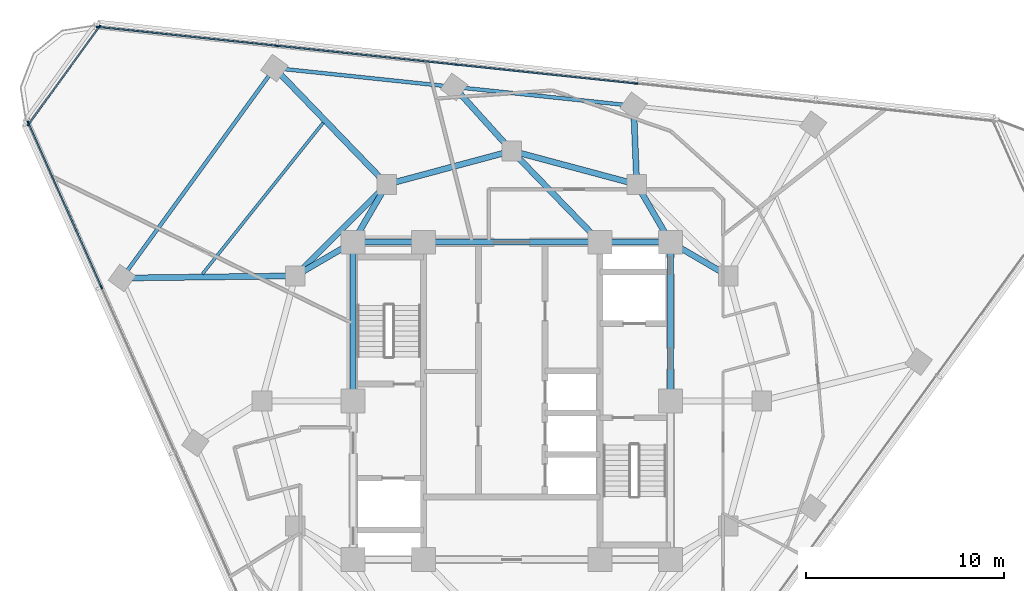
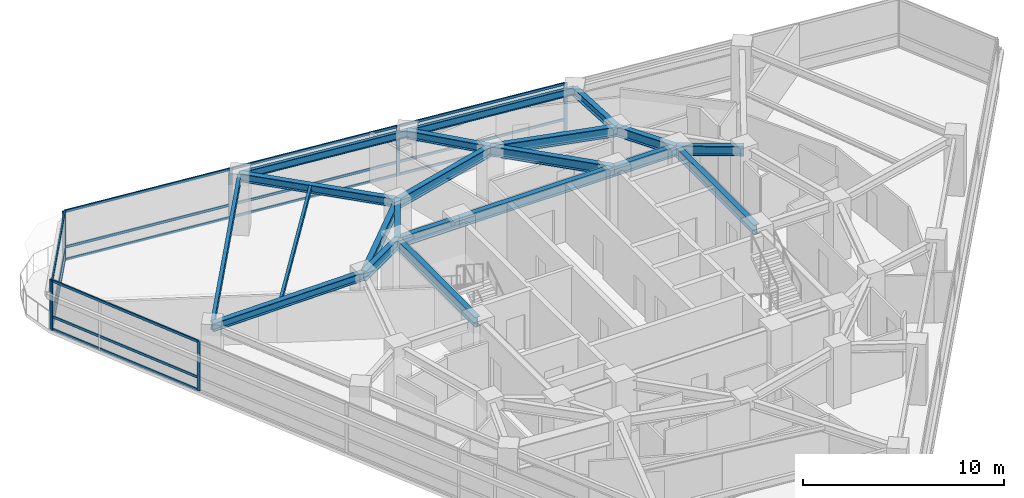
# One storey, part 5 of 14: 23 members, 21 beams, 3 elements without a shape of their own.
"""IFC4 building model written with IfcOpenShell, lengths in metres."""

from ifc_helpers import new_model, si_unit, direction, frame, origin, origin_2d, place, context, subcontext, project, spatial, rectangle, i_section, extrude, material, layer, layer_set, material_profile, profile_set, type_object, element, aggregate, save


model = new_model("IFC4")

# Units and contexts
model_context = context("Model", 3, precision=1e-05, world=origin(), true_north=direction((0.0, 1.0)))
body_context = subcontext(model_context, "Body", "Model", "MODEL_VIEW")
ifc_project = project(units=[si_unit("LENGTHUNIT", "METRE"), si_unit("AREAUNIT", "SQUARE_METRE"), si_unit("VOLUMEUNIT", "CUBIC_METRE"), si_unit("PLANEANGLEUNIT", "RADIAN"), si_unit("MASSUNIT", "GRAM", prefix="KILO")], contexts=[model_context])

# Site, building, storey
site_placement = place(None, origin())
site = spatial("IfcSite", under=ifc_project, at=site_placement, CompositionType="ELEMENT")
building_placement = place(site_placement, origin())
building = spatial("IfcBuilding", under=site, at=building_placement, Name="Terralouvre Media Tower", CompositionType="ELEMENT")
storey_placement = place(building_placement, frame((0.0, 0.0, 222.60009765625)))
storey = spatial("IfcBuildingStorey", under=building, at=storey_placement, Name="L57", CompositionType="ELEMENT", Elevation=222.60009765625)

# Beam
ifc_material_1 = material(Name="Structural steel S355J2", Category="steel")
ifc_material_profile_1 = material_profile(ifc_material_1, i_section(OverallWidth=0.14990234375, OverallDepth=0.300048828125, WebThickness=0.007080078125, FlangeThickness=0.0107421875, at=origin_2d()), Name="IPE 300")
ifc_profile_set_1 = profile_set([ifc_material_profile_1], Name="Structural steel S355J2")
beam_type_1 = type_object("IfcBeamType", Name="Composite Floor Joist J-IPE300 (IPE 300)", PredefinedType="JOIST", material=ifc_profile_set_1)
beam_1_placement = place(storey_placement, frame((-9.507568359375, 14.0205078125, 3.349853515625), z_axis=(-0.623938489158, -0.781473455561, 0.0), x_axis=(0.781473455561, -0.623938489158, 0.0)))
element("IfcBeam", 1, at=beam_1_placement, inside=storey, type_object=beam_type_1, Name="L57 Framing Beam JT-L57-05", PredefinedType="JOIST", context=body_context, shape_type="SweptSolid", body=[
    extrude(i_section(OverallWidth=0.14990234375, OverallDepth=0.300048828125, WebThickness=0.007080078125, FlangeThickness=0.0107421875, at=origin_2d()), origin(), (0.0, 0.0, 1.0), 9.763427734375),
])

# Curtain wall, members
ifc_material_2 = material(Name="Low-iron laminated double glazing with solar-control coating", Category="glass")
ifc_layer_1 = layer(ifc_material_2, 0.1650390625, Name="Upper Executive Tower Curtain Wall CW-05")
ifc_layer_set_1 = layer_set([ifc_layer_1], Name="Low-iron laminated double glazing with solar-control coating")
curtain_wall_type_1 = type_object("IfcCurtainWallType", Name="Upper Executive Tower Curtain Wall CW-05", PredefinedType="NOTDEFINED", material=ifc_layer_set_1)
curtain_wall_1_placement = place(storey_placement, origin())
curtain_wall_1 = element("IfcCurtainWall", 2, at=curtain_wall_1_placement, inside=storey, type_object=curtain_wall_type_1, Name="L57 Facade Curtain Wall F1", PredefinedType="NOTDEFINED")
ifc_material_3 = material(Name="Anodised extruded aluminium 6063-T6", Category="aluminium")
ifc_material_profile_2 = material_profile(ifc_material_3, rectangle(XDim=0.074951171875, YDim=0.14990234375, at=origin_2d()), Name="ALU 75x150")
ifc_profile_set_2 = profile_set([ifc_material_profile_2], Name="Anodised extruded aluminium 6063-T6")
member_type_1 = type_object("IfcMemberType", Name="Curtain-Wall Horizontal Transom TR-150", PredefinedType="USERDEFINED", material=ifc_profile_set_2)
member_1_placement = place(storey_placement, frame((6.21923828125, 16.002197265625, 0.037353515625), z_axis=(-0.994522041896, 0.104527069141, 0.0), x_axis=(-0.104527069141, -0.994522041896, 0.0)))
member_1 = element("IfcMember", 3, at=member_1_placement, type_object=member_type_1, Name="CW-05 transom 3.1", ObjectType="TRANSOM", PredefinedType="USERDEFINED", context=body_context, shape_type="SweptSolid", body=[
    extrude(rectangle(XDim=0.074951171875, YDim=0.14990234375, at=origin_2d()), origin(), (0.0, 0.0, 1.0), 9.025146484375),
])
member_2_placement = place(storey_placement, frame((6.21923828125, 16.002197265625, 0.7998046875), z_axis=(-0.994522041896, 0.104527069141, 0.0), x_axis=(-0.104527069141, -0.994522041896, 0.0)))
member_2 = element("IfcMember", 4, at=member_2_placement, type_object=member_type_1, Name="CW-05 transom 3.2", ObjectType="TRANSOM", PredefinedType="USERDEFINED", context=body_context, shape_type="SweptSolid", body=[
    extrude(rectangle(XDim=0.074951171875, YDim=0.14990234375, at=origin_2d()), origin(), (0.0, 0.0, 1.0), 9.025146484375),
])
member_3_placement = place(storey_placement, frame((6.21923828125, 16.002197265625, 2.96240234375), z_axis=(-0.994522041896, 0.104527069141, 0.0), x_axis=(-0.104527069141, -0.994522041896, 0.0)))
member_3 = element("IfcMember", 5, at=member_3_placement, type_object=member_type_1, Name="CW-05 transom 3.3", ObjectType="TRANSOM", PredefinedType="USERDEFINED", context=body_context, shape_type="SweptSolid", body=[
    extrude(rectangle(XDim=0.074951171875, YDim=0.14990234375, at=origin_2d()), origin(), (0.0, 0.0, 1.0), 9.025146484375),
])
member_4_placement = place(storey_placement, frame((-2.830810546875, 16.95361328125, 0.037353515625), z_axis=(-0.994522041896, 0.104527069141, 0.0), x_axis=(-0.104527069141, -0.994522041896, 0.0)))
member_4 = element("IfcMember", 6, at=member_4_placement, type_object=member_type_1, Name="CW-05 transom 4.1", ObjectType="TRANSOM", PredefinedType="USERDEFINED", context=body_context, shape_type="SweptSolid", body=[
    extrude(rectangle(XDim=0.074951171875, YDim=0.14990234375, at=origin_2d()), origin(), (0.0, 0.0, 1.0), 9.025146484375),
])
member_5_placement = place(storey_placement, frame((-2.830810546875, 16.95361328125, 0.7998046875), z_axis=(-0.994522041896, 0.104527069141, 0.0), x_axis=(-0.104527069141, -0.994522041896, 0.0)))
member_5 = element("IfcMember", 7, at=member_5_placement, type_object=member_type_1, Name="CW-05 transom 4.2", ObjectType="TRANSOM", PredefinedType="USERDEFINED", context=body_context, shape_type="SweptSolid", body=[
    extrude(rectangle(XDim=0.074951171875, YDim=0.14990234375, at=origin_2d()), origin(), (0.0, 0.0, 1.0), 9.025146484375),
])
member_6_placement = place(storey_placement, frame((-2.830810546875, 16.95361328125, 2.96240234375), z_axis=(-0.994522041896, 0.104527069141, 0.0), x_axis=(-0.104527069141, -0.994522041896, 0.0)))
member_6 = element("IfcMember", 8, at=member_6_placement, type_object=member_type_1, Name="CW-05 transom 4.3", ObjectType="TRANSOM", PredefinedType="USERDEFINED", context=body_context, shape_type="SweptSolid", body=[
    extrude(rectangle(XDim=0.074951171875, YDim=0.14990234375, at=origin_2d()), origin(), (0.0, 0.0, 1.0), 9.025146484375),
])
member_7_placement = place(storey_placement, frame((-11.881103515625, 17.90478515625, 0.037353515625), z_axis=(-0.994521813919, 0.104529238206, 0.0), x_axis=(-0.104529238206, -0.994521813919, 0.0)))
member_7 = element("IfcMember", 9, at=member_7_placement, type_object=member_type_1, Name="CW-05 transom 5.1", ObjectType="TRANSOM", PredefinedType="USERDEFINED", context=body_context, shape_type="SweptSolid", body=[
    extrude(rectangle(XDim=0.074951171875, YDim=0.14990234375, at=origin_2d()), origin(), (0.0, 0.0, 1.0), 8.987548828125),
])
member_8_placement = place(storey_placement, frame((-11.881103515625, 17.90478515625, 0.7998046875), z_axis=(-0.994521813919, 0.104529238206, 0.0), x_axis=(-0.104529238206, -0.994521813919, 0.0)))
member_8 = element("IfcMember", 10, at=member_8_placement, type_object=member_type_1, Name="CW-05 transom 5.2", ObjectType="TRANSOM", PredefinedType="USERDEFINED", context=body_context, shape_type="SweptSolid", body=[
    extrude(rectangle(XDim=0.074951171875, YDim=0.14990234375, at=origin_2d()), origin(), (0.0, 0.0, 1.0), 8.987548828125),
])
member_9_placement = place(storey_placement, frame((-11.881103515625, 17.90478515625, 2.96240234375), z_axis=(-0.994521813919, 0.104529238206, 0.0), x_axis=(-0.104529238206, -0.994521813919, 0.0)))
member_9 = element("IfcMember", 11, at=member_9_placement, type_object=member_type_1, Name="CW-05 transom 5.3", ObjectType="TRANSOM", PredefinedType="USERDEFINED", context=body_context, shape_type="SweptSolid", body=[
    extrude(rectangle(XDim=0.074951171875, YDim=0.14990234375, at=origin_2d()), origin(), (0.0, 0.0, 1.0), 8.987548828125),
])

curtain_wall_2_placement = place(storey_placement, origin())
curtain_wall_2 = element("IfcCurtainWall", 12, at=curtain_wall_2_placement, inside=storey, type_object=curtain_wall_type_1, Name="L57 Facade Curtain Wall F2", PredefinedType="NOTDEFINED")
member_10_placement = place(storey_placement, frame((-24.35546875, 13.97705078125, 0.037353515625), z_axis=(0.406758390963, -0.913535774549, 0.0), x_axis=(0.913535774549, 0.406758390963, 0.0)))
member_10 = element("IfcMember", 13, at=member_10_placement, type_object=member_type_1, Name="CW-05 transom 1.1", ObjectType="TRANSOM", PredefinedType="USERDEFINED", context=body_context, shape_type="SweptSolid", body=[
    extrude(rectangle(XDim=0.074951171875, YDim=0.14990234375, at=origin_2d()), origin(), (0.0, 0.0, 1.0), 8.987548828125),
])
member_11_placement = place(storey_placement, frame((-24.35546875, 13.97705078125, 0.7998046875), z_axis=(0.406758390963, -0.913535774549, 0.0), x_axis=(0.913535774549, 0.406758390963, 0.0)))
member_11 = element("IfcMember", 14, at=member_11_placement, type_object=member_type_1, Name="CW-05 transom 1.2", ObjectType="TRANSOM", PredefinedType="USERDEFINED", context=body_context, shape_type="SweptSolid", body=[
    extrude(rectangle(XDim=0.074951171875, YDim=0.14990234375, at=origin_2d()), origin(), (0.0, 0.0, 1.0), 8.987548828125),
])
member_12_placement = place(storey_placement, frame((-24.35546875, 13.97705078125, 2.96240234375), z_axis=(0.406758390963, -0.913535774549, 0.0), x_axis=(0.913535774549, 0.406758390963, 0.0)))
member_12 = element("IfcMember", 15, at=member_12_placement, type_object=member_type_1, Name="CW-05 transom 1.3", ObjectType="TRANSOM", PredefinedType="USERDEFINED", context=body_context, shape_type="SweptSolid", body=[
    extrude(rectangle(XDim=0.074951171875, YDim=0.14990234375, at=origin_2d()), origin(), (0.0, 0.0, 1.0), 8.987548828125),
])

ifc_material_4 = material(Name="Low-iron laminated double glazing with solar-control coating", Category="glass")
ifc_layer_2 = layer(ifc_material_4, 0.1650390625, Name="Rounded Wind-Corner Curved Glazing CW-04")
ifc_layer_set_2 = layer_set([ifc_layer_2], Name="Low-iron laminated double glazing with solar-control coating")
curtain_wall_type_2 = type_object("IfcCurtainWallType", Name="Rounded Wind-Corner Curved Glazing CW-04", PredefinedType="NOTDEFINED", material=ifc_layer_set_2)
curtain_wall_3_placement = place(storey_placement, origin())
curtain_wall_3 = element("IfcCurtainWall", 16, at=curtain_wall_3_placement, inside=storey, type_object=curtain_wall_type_2, Name="L57 Rounded Wind-Corner Curtain Wall C2", PredefinedType="NOTDEFINED")
member_13_placement = place(storey_placement, frame((-20.812255859375, 18.828369140625, 0.037353515625), z_axis=(-0.58777959511, -0.809021104528, 0.0), x_axis=(0.809021104528, -0.58777959511, 0.0)))
member_13 = element("IfcMember", 17, at=member_13_placement, type_object=member_type_1, Name="CW-04 transom 1.1", ObjectType="TRANSOM", PredefinedType="USERDEFINED", context=body_context, shape_type="SweptSolid", body=[
    extrude(rectangle(XDim=0.074951171875, YDim=0.14990234375, at=origin_2d()), origin(), (0.0, 0.0, 1.0), 5.99853515625),
])
member_14_placement = place(storey_placement, frame((-20.812255859375, 18.828369140625, 0.7998046875), z_axis=(-0.58777959511, -0.809021104528, 0.0), x_axis=(0.809021104528, -0.58777959511, 0.0)))
member_14 = element("IfcMember", 18, at=member_14_placement, type_object=member_type_1, Name="CW-04 transom 1.2", ObjectType="TRANSOM", PredefinedType="USERDEFINED", context=body_context, shape_type="SweptSolid", body=[
    extrude(rectangle(XDim=0.074951171875, YDim=0.14990234375, at=origin_2d()), origin(), (0.0, 0.0, 1.0), 5.99853515625),
])
member_15_placement = place(storey_placement, frame((-20.812255859375, 18.828369140625, 2.96240234375), z_axis=(-0.58777959511, -0.809021104528, 0.0), x_axis=(0.809021104528, -0.58777959511, 0.0)))
member_15 = element("IfcMember", 19, at=member_15_placement, type_object=member_type_1, Name="CW-04 transom 1.3", ObjectType="TRANSOM", PredefinedType="USERDEFINED", context=body_context, shape_type="SweptSolid", body=[
    extrude(rectangle(XDim=0.074951171875, YDim=0.14990234375, at=origin_2d()), origin(), (0.0, 0.0, 1.0), 5.99853515625),
])

# Member
ifc_material_5 = material(Name="Anodised extruded aluminium 6063-T6", Category="aluminium")
ifc_material_profile_3 = material_profile(ifc_material_5, rectangle(XDim=0.074951171875, YDim=0.179931640625, at=origin_2d()), Name="ALU 75x180")
ifc_profile_set_3 = profile_set([ifc_material_profile_3], Name="Anodised extruded aluminium 6063-T6")
member_type_2 = type_object("IfcMemberType", Name="Curtain-Wall Vertical Mullion ML-180", PredefinedType="MULLION", material=ifc_profile_set_3)
member_16_placement = place(storey_placement, frame((6.256591796875, 15.998291015625, 0.0), z_axis=(0.0, 0.0, 1.0), x_axis=(-0.104528561651, -0.994521885028, 0.0)))
member_16 = element("IfcMember", 20, at=member_16_placement, type_object=member_type_2, Name="CW-05 mullion 3", PredefinedType="MULLION", context=body_context, shape_type="SweptSolid", body=[
    extrude(rectangle(XDim=0.074951171875, YDim=0.179931640625, at=origin_2d()), origin(), (0.0, 0.0, 1.0), 3.0),
])

member_17_placement = place(storey_placement, frame((-2.793701171875, 16.949462890625, 0.0), z_axis=(0.0, 0.0, 1.0), x_axis=(-0.104528561651, -0.994521885028, 0.0)))
member_17 = element("IfcMember", 21, at=member_17_placement, type_object=member_type_2, Name="CW-05 mullion 4", PredefinedType="MULLION", context=body_context, shape_type="SweptSolid", body=[
    extrude(rectangle(XDim=0.074951171875, YDim=0.179931640625, at=origin_2d()), origin(), (0.0, 0.0, 1.0), 3.0),
])

member_18_placement = place(storey_placement, frame((-11.84375, 17.90087890625, 0.0), z_axis=(0.0, 0.0, 1.0), x_axis=(-0.104528561651, -0.994521885028, 0.0)))
member_18 = element("IfcMember", 22, at=member_18_placement, type_object=member_type_2, Name="CW-05 mullion 5", PredefinedType="MULLION", context=body_context, shape_type="SweptSolid", body=[
    extrude(rectangle(XDim=0.074951171875, YDim=0.179931640625, at=origin_2d()), origin(), (0.0, 0.0, 1.0), 3.0),
])

member_19_placement = place(storey_placement, frame((-20.856689453125, 18.84814453125, 0.0), z_axis=(0.0, 0.0, 1.0), x_axis=(-0.104528561651, -0.994521885028, 0.0)))
member_19 = element("IfcMember", 23, at=member_19_placement, type_object=member_type_2, Name="CW-05 mullion 6", PredefinedType="MULLION", context=body_context, shape_type="SweptSolid", body=[
    extrude(rectangle(XDim=0.074951171875, YDim=0.179931640625, at=origin_2d()), origin(), (0.0, 0.0, 1.0), 3.0),
])

aggregate(curtain_wall_1, [member_16, member_17, member_18, member_19, member_1, member_2, member_3, member_4, member_5, member_6, member_7, member_8, member_9])

member_20_placement = place(storey_placement, frame((-24.37060546875, 14.011474609375, 0.0), z_axis=(0.0, 0.0, 1.0), x_axis=(0.913545441365, 0.406736679636, 0.0)))
member_20 = element("IfcMember", 24, at=member_20_placement, type_object=member_type_2, Name="CW-05 mullion 1", PredefinedType="MULLION", context=body_context, shape_type="SweptSolid", body=[
    extrude(rectangle(XDim=0.074951171875, YDim=0.179931640625, at=origin_2d()), origin(), (0.0, 0.0, 1.0), 3.0),
])

member_21_placement = place(storey_placement, frame((-20.6845703125, 5.732421875, 0.0), z_axis=(0.0, 0.0, 1.0), x_axis=(0.913545441365, 0.406736679636, 0.0)))
member_21 = element("IfcMember", 25, at=member_21_placement, type_object=member_type_2, Name="CW-05 mullion 2", PredefinedType="MULLION", context=body_context, shape_type="SweptSolid", body=[
    extrude(rectangle(XDim=0.074951171875, YDim=0.179931640625, at=origin_2d()), origin(), (0.0, 0.0, 1.0), 3.0),
])

aggregate(curtain_wall_2, [member_20, member_21, member_10, member_11, member_12])

member_22_placement = place(storey_placement, frame((-20.7900390625, 18.858642578125, 0.0), z_axis=(0.0, 0.0, 1.0), x_axis=(0.809016531067, -0.58778588998, 0.0)))
member_22 = element("IfcMember", 26, at=member_22_placement, type_object=member_type_2, Name="CW-04 mullion 1", PredefinedType="MULLION", context=body_context, shape_type="SweptSolid", body=[
    extrude(rectangle(XDim=0.074951171875, YDim=0.179931640625, at=origin_2d()), origin(), (0.0, 0.0, 1.0), 3.0),
])

member_23_placement = place(storey_placement, frame((-24.360107421875, 13.94482421875, 0.0), z_axis=(0.0, 0.0, 1.0), x_axis=(0.809016531067, -0.58778588998, 0.0)))
member_23 = element("IfcMember", 27, at=member_23_placement, type_object=member_type_2, Name="CW-04 mullion 2", PredefinedType="MULLION", context=body_context, shape_type="SweptSolid", body=[
    extrude(rectangle(XDim=0.074951171875, YDim=0.179931640625, at=origin_2d()), origin(), (0.0, 0.0, 1.0), 3.0),
])

aggregate(curtain_wall_3, [member_22, member_23, member_13, member_14, member_15])

# Beams
ifc_material_6 = material(Name="Structural steel S355J2", Category="steel")
ifc_material_profile_4 = material_profile(ifc_material_6, i_section(OverallWidth=0.18994140625, OverallDepth=0.449951171875, WebThickness=0.009521484375, FlangeThickness=0.0146484375, at=origin_2d()), Name="IPE 450")
ifc_profile_set_4 = profile_set([ifc_material_profile_4], Name="Structural steel S355J2")
beam_type_2 = type_object("IfcBeamType", Name="Perimeter Spandrel Beam SPB-450 (IPE 450)", PredefinedType="SPANDREL", material=ifc_profile_set_4)
beam_2_placement = place(storey_placement, frame((6.138427734375, 14.87451171875, 3.27490234375), z_axis=(-0.994522199081, 0.104525573596, 0.0), x_axis=(-0.104525573596, -0.994522199081, 0.0)))
element("IfcBeam", 28, at=beam_2_placement, inside=storey, type_object=beam_type_2, Name="L57 Framing Beam BM-L57-PR09", PredefinedType="SPANDREL", context=body_context, shape_type="SweptSolid", body=[
    extrude(i_section(OverallWidth=0.18994140625, OverallDepth=0.449951171875, WebThickness=0.009521484375, FlangeThickness=0.0146484375, at=origin_2d()), origin(), (0.0, 0.0, 1.0), 9.099853515625),
])
beam_3_placement = place(storey_placement, frame((-2.91162109375, 15.82568359375, 3.27490234375), z_axis=(-0.994522492191, 0.10452278472, 0.0), x_axis=(-0.10452278472, -0.994522492191, 0.0)))
element("IfcBeam", 29, at=beam_3_placement, inside=storey, type_object=beam_type_2, Name="L57 Framing Beam BM-L57-PR10", PredefinedType="SPANDREL", context=body_context, shape_type="SweptSolid", body=[
    extrude(i_section(OverallWidth=0.18994140625, OverallDepth=0.449951171875, WebThickness=0.009521484375, FlangeThickness=0.0146484375, at=origin_2d()), origin(), (0.0, 0.0, 1.0), 9.10009765625),
])
beam_4_placement = place(storey_placement, frame((-11.9619140625, 16.77685546875, 3.27490234375), z_axis=(-0.587794396272, -0.809010350806, 0.0), x_axis=(0.809010350806, -0.587794396272, 0.0)))
element("IfcBeam", 30, at=beam_4_placement, inside=storey, type_object=beam_type_2, Name="L57 Framing Beam BM-L57-PR11", PredefinedType="SPANDREL", context=body_context, shape_type="SweptSolid", body=[
    extrude(i_section(OverallWidth=0.18994140625, OverallDepth=0.449951171875, WebThickness=0.009521484375, FlangeThickness=0.0146484375, at=origin_2d()), origin(), (0.0, 0.0, 1.0), 13.08349609375),
])
ifc_material_7 = material(Name="Structural steel S355J2", Category="steel")
ifc_material_profile_5 = material_profile(ifc_material_7, i_section(OverallWidth=0.300048828125, OverallDepth=0.5, WebThickness=0.014404296875, FlangeThickness=0.028076171875, at=origin_2d()), Name="HEB 500")
ifc_profile_set_5 = profile_set([ifc_material_profile_5], Name="Structural steel S355J2")
beam_type_3 = type_object("IfcBeamType", Name="Primary Floor Girder B-HEB500 (HEB 500)", PredefinedType="BEAM", material=ifc_profile_set_5)
beam_5_placement = place(storey_placement, frame((6.300048828125, 10.911865234375, 3.25), z_axis=(-0.040752268141, 0.999169281274, 0.0), x_axis=(-0.999169281274, -0.040752268141, 0.0)))
element("IfcBeam", 31, at=beam_5_placement, inside=storey, type_object=beam_type_3, Name="L57 Framing Beam BM-L57-RD09", PredefinedType="BEAM", context=body_context, shape_type="SweptSolid", body=[
    extrude(i_section(OverallWidth=0.300048828125, OverallDepth=0.5, WebThickness=0.014404296875, FlangeThickness=0.028076171875, at=origin_2d()), origin(), (0.0, 0.0, 1.0), 3.9658203125),
])
beam_6_placement = place(storey_placement, frame((0.0, 12.60009765625, 3.25), z_axis=(-0.670056658177, 0.742309958732, 0.0), x_axis=(-0.742309958732, -0.670056658177, 0.0)))
element("IfcBeam", 32, at=beam_6_placement, inside=storey, type_object=beam_type_3, Name="L57 Framing Beam BM-L57-RD10", PredefinedType="BEAM", context=body_context, shape_type="SweptSolid", body=[
    extrude(i_section(OverallWidth=0.300048828125, OverallDepth=0.5, WebThickness=0.014404296875, FlangeThickness=0.028076171875, at=origin_2d()), origin(), (0.0, 0.0, 1.0), 4.34521484375),
])
beam_7_placement = place(storey_placement, frame((-6.300048828125, 10.911865234375, 3.25), z_axis=(-0.694538392484, 0.719455642389, 0.0), x_axis=(-0.719455642389, -0.694538392484, 0.0)))
element("IfcBeam", 33, at=beam_7_placement, inside=storey, type_object=beam_type_3, Name="L57 Framing Beam BM-L57-RD11", PredefinedType="BEAM", context=body_context, shape_type="SweptSolid", body=[
    extrude(i_section(OverallWidth=0.300048828125, OverallDepth=0.5, WebThickness=0.014404296875, FlangeThickness=0.028076171875, at=origin_2d()), origin(), (0.0, 0.0, 1.0), 8.152099609375),
])
beam_8_placement = place(storey_placement, frame((-10.911865234375, 6.300048828125, 3.25), z_axis=(-0.999923796559, -0.012345083045, 0.0), x_axis=(0.012345083045, -0.999923796559, 0.0)))
element("IfcBeam", 34, at=beam_8_placement, inside=storey, type_object=beam_type_3, Name="L57 Framing Beam BM-L57-RD12", PredefinedType="BEAM", context=body_context, shape_type="SweptSolid", body=[
    extrude(i_section(OverallWidth=0.300048828125, OverallDepth=0.5, WebThickness=0.014404296875, FlangeThickness=0.028076171875, at=origin_2d()), origin(), (0.0, 0.0, 1.0), 8.7412109375),
])
ifc_material_8 = material(Name="Structural steel S460M", Category="steel")
ifc_material_profile_6 = material_profile(ifc_material_8, i_section(OverallWidth=0.300048828125, OverallDepth=0.60009765625, WebThickness=0.015380859375, FlangeThickness=0.030029296875, at=origin_2d()), Name="HEB 600")
ifc_profile_set_6 = profile_set([ifc_material_profile_6], Name="Structural steel S460M")
beam_type_4 = type_object("IfcBeamType", Name="Primary Floor Girder B-HEB600 (HEB 600)", PredefinedType="BEAM", material=ifc_profile_set_6)
beam_9_placement = place(storey_placement, frame((8.0, 0.0, 3.199951171875), z_axis=(0.0, 1.0, 0.0), x_axis=(-1.0, 0.0, 0.0)))
element("IfcBeam", 35, at=beam_9_placement, inside=storey, type_object=beam_type_4, Name="L57 Framing Beam BM-L57-CPR05", PredefinedType="BEAM", context=body_context, shape_type="SweptSolid", body=[
    extrude(i_section(OverallWidth=0.300048828125, OverallDepth=0.60009765625, WebThickness=0.015380859375, FlangeThickness=0.030029296875, at=origin_2d()), origin(), (0.0, 0.0, 1.0), 8.0),
])
beam_10_placement = place(storey_placement, frame((8.0, 8.0, 3.199951171875), z_axis=(-1.0, 0.0, 0.0), x_axis=(0.0, -1.0, 0.0)))
element("IfcBeam", 36, at=beam_10_placement, inside=storey, type_object=beam_type_4, Name="L57 Framing Beam BM-L57-CPR06", PredefinedType="BEAM", context=body_context, shape_type="SweptSolid", body=[
    extrude(i_section(OverallWidth=0.300048828125, OverallDepth=0.60009765625, WebThickness=0.015380859375, FlangeThickness=0.030029296875, at=origin_2d()), origin(), (0.0, 0.0, 1.0), 3.550048828125),
])
beam_11_placement = place(storey_placement, frame((4.449951171875, 8.0, 3.199951171875), z_axis=(-1.0, 0.0, 0.0), x_axis=(0.0, -1.0, 0.0)))
element("IfcBeam", 37, at=beam_11_placement, inside=storey, type_object=beam_type_4, Name="L57 Framing Beam BM-L57-CPR07", PredefinedType="BEAM", context=body_context, shape_type="SweptSolid", body=[
    extrude(i_section(OverallWidth=0.300048828125, OverallDepth=0.60009765625, WebThickness=0.015380859375, FlangeThickness=0.030029296875, at=origin_2d()), origin(), (0.0, 0.0, 1.0), 8.89990234375),
])
beam_12_placement = place(storey_placement, frame((-4.449951171875, 8.0, 3.199951171875), z_axis=(-1.0, 0.0, 0.0), x_axis=(0.0, -1.0, 0.0)))
element("IfcBeam", 38, at=beam_12_placement, inside=storey, type_object=beam_type_4, Name="L57 Framing Beam BM-L57-CPR08", PredefinedType="BEAM", context=body_context, shape_type="SweptSolid", body=[
    extrude(i_section(OverallWidth=0.300048828125, OverallDepth=0.60009765625, WebThickness=0.015380859375, FlangeThickness=0.030029296875, at=origin_2d()), origin(), (0.0, 0.0, 1.0), 3.550048828125),
])
beam_13_placement = place(storey_placement, frame((-8.0, 8.0, 3.199951171875), z_axis=(0.0, -1.0, 0.0), x_axis=(1.0, 0.0, 0.0)))
element("IfcBeam", 39, at=beam_13_placement, inside=storey, type_object=beam_type_4, Name="L57 Framing Beam BM-L57-CPR09", PredefinedType="BEAM", context=body_context, shape_type="SweptSolid", body=[
    extrude(i_section(OverallWidth=0.300048828125, OverallDepth=0.60009765625, WebThickness=0.015380859375, FlangeThickness=0.030029296875, at=origin_2d()), origin(), (0.0, 0.0, 1.0), 8.0),
])
for number, where, z_axis, x_axis, name in (
    (40, (6.300048828125, 10.911865234375, 3.199951171875), (-0.965920481897, 0.258838989821, 0.0), (-0.258838989821, -0.965920481897, 0.0), "L57 Framing Beam BM-L57-MR08"),
    (41, (0.0, 12.60009765625, 3.199951171875), (-0.965920481897, -0.258838989821, 0.0), (0.258838989821, -0.965920481897, 0.0), "L57 Framing Beam BM-L57-MR09"),
):
    element("IfcBeam", number, at=place(storey_placement, frame(where, z_axis=z_axis, x_axis=x_axis)), inside=storey, type_object=beam_type_4, Name=name, PredefinedType="BEAM", context=body_context, shape_type="SweptSolid", body=[
        extrude(i_section(OverallWidth=0.300048828125, OverallDepth=0.60009765625, WebThickness=0.015380859375, FlangeThickness=0.030029296875, at=origin_2d()), origin(), (0.0, 0.0, 1.0), 6.522216796875),
    ])
beam_14_placement = place(storey_placement, frame((-6.300048828125, 10.911865234375, 3.199951171875), z_axis=(-0.707106781187, -0.707106781187, 0.0), x_axis=(0.707106781187, -0.707106781187, 0.0)))
element("IfcBeam", 42, at=beam_14_placement, inside=storey, type_object=beam_type_4, Name="L57 Framing Beam BM-L57-MR10", PredefinedType="BEAM", context=body_context, shape_type="SweptSolid", body=[
    extrude(i_section(OverallWidth=0.300048828125, OverallDepth=0.60009765625, WebThickness=0.015380859375, FlangeThickness=0.030029296875, at=origin_2d()), origin(), (0.0, 0.0, 1.0), 6.52197265625),
])
for number, where, z_axis, x_axis, name in (
    (43, (8.0, 8.0, 3.199951171875), (0.863602894532, -0.504172629717, 0.0), (0.504172629717, 0.863602894532, 0.0), "L57 Framing Beam BM-L57-CM07"),
    (44, (8.0, 8.0, 3.199951171875), (-0.504172629717, 0.863602894532, 0.0), (-0.863602894532, -0.504172629717, 0.0), "L57 Framing Beam BM-L57-CM08"),
):
    element("IfcBeam", number, at=place(storey_placement, frame(where, z_axis=z_axis, x_axis=x_axis)), inside=storey, type_object=beam_type_4, Name=name, PredefinedType="BEAM", context=body_context, shape_type="SweptSolid", body=[
        extrude(i_section(OverallWidth=0.300048828125, OverallDepth=0.60009765625, WebThickness=0.015380859375, FlangeThickness=0.030029296875, at=origin_2d()), origin(), (0.0, 0.0, 1.0), 3.371826171875),
    ])
beam_15_placement = place(storey_placement, frame((4.449951171875, 8.0, 3.199951171875), z_axis=(-0.695279715726, 0.718739255155, 0.0), x_axis=(-0.718739255155, -0.695279715726, 0.0)))
element("IfcBeam", 45, at=beam_15_placement, inside=storey, type_object=beam_type_4, Name="L57 Framing Beam BM-L57-CM09", PredefinedType="BEAM", context=body_context, shape_type="SweptSolid", body=[
    extrude(i_section(OverallWidth=0.300048828125, OverallDepth=0.60009765625, WebThickness=0.015380859375, FlangeThickness=0.030029296875, at=origin_2d()), origin(), (0.0, 0.0, 1.0), 6.400146484375),
])
for number, where, z_axis, x_axis, name in (
    (46, (-8.0, 8.0, 3.199951171875), (0.504172629717, 0.863602894532, 0.0), (-0.863602894532, 0.504172629717, 0.0), "L57 Framing Beam BM-L57-CM10"),
    (47, (-8.0, 8.0, 3.199951171875), (-0.863602894532, -0.504172629717, 0.0), (0.504172629717, -0.863602894532, 0.0), "L57 Framing Beam BM-L57-CM11"),
):
    element("IfcBeam", number, at=place(storey_placement, frame(where, z_axis=z_axis, x_axis=x_axis)), inside=storey, type_object=beam_type_4, Name=name, PredefinedType="BEAM", context=body_context, shape_type="SweptSolid", body=[
        extrude(i_section(OverallWidth=0.300048828125, OverallDepth=0.60009765625, WebThickness=0.015380859375, FlangeThickness=0.030029296875, at=origin_2d()), origin(), (0.0, 0.0, 1.0), 3.371826171875),
    ])

save(model, "model.ifc")
